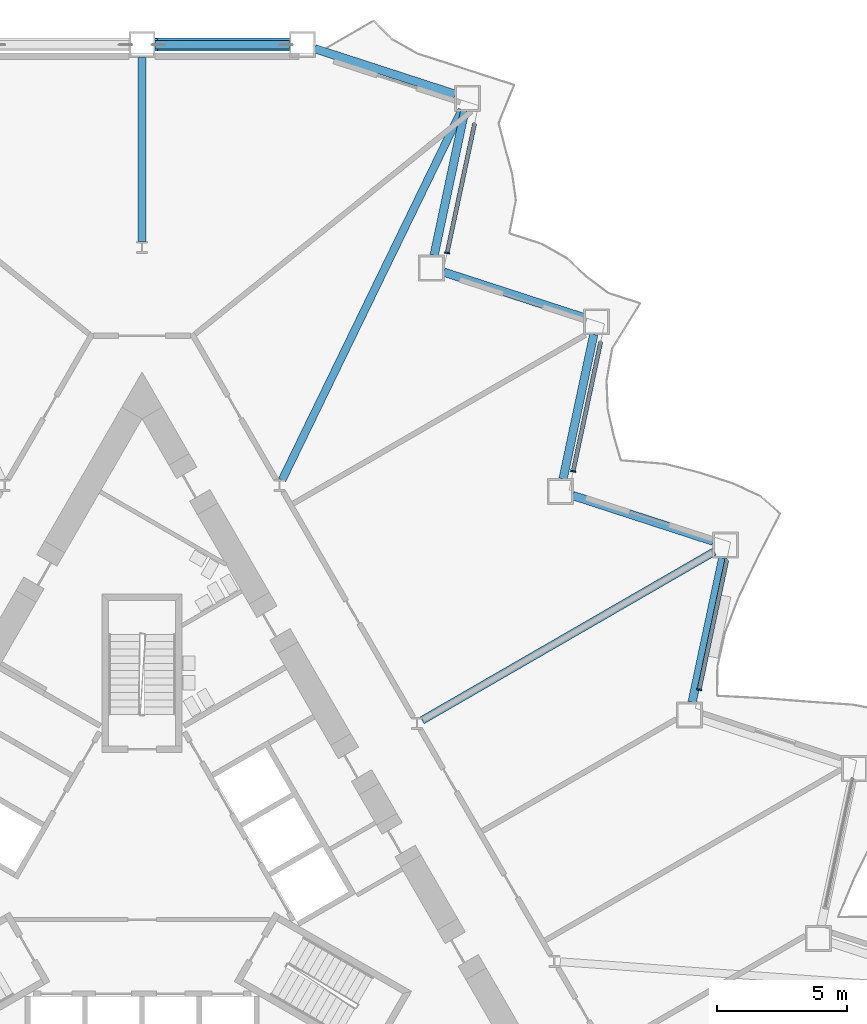
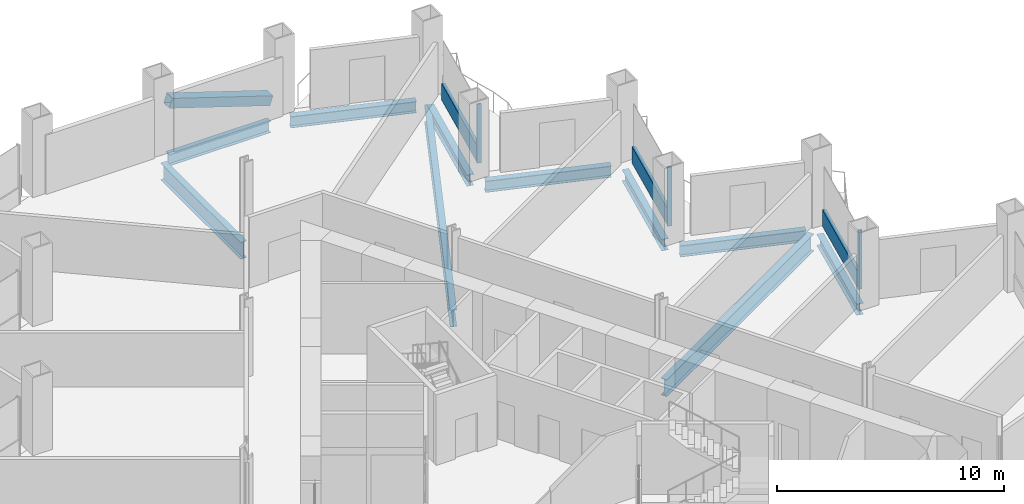
# One storey, part 7 of 21: 10 beams, 7 members, 3 elements without a shape of their own.
"""IFC4 building model written with IfcOpenShell, lengths in metres."""

from ifc_helpers import new_model, si_unit, direction, frame, origin, origin_2d, place, context, subcontext, project, spatial, rectangle, hollow_rectangle, i_section, extrude, material, layer, layer_set, material_profile, profile_set, type_object, element, aggregate, save


model = new_model("IFC4")

# Units and contexts
model_context = context("Model", 3, precision=1e-05, world=origin(), true_north=direction((0.0, 1.0)))
body_context = subcontext(model_context, "Body", "Model", "MODEL_VIEW")
ifc_project = project(units=[si_unit("LENGTHUNIT", "METRE"), si_unit("AREAUNIT", "SQUARE_METRE"), si_unit("VOLUMEUNIT", "CUBIC_METRE"), si_unit("PLANEANGLEUNIT", "RADIAN"), si_unit("MASSUNIT", "GRAM", prefix="KILO")], contexts=[model_context])

# Site, building, storey
site_placement = place(None, origin())
site = spatial("IfcSite", under=ifc_project, at=site_placement, CompositionType="ELEMENT")
building_placement = place(site_placement, origin())
building = spatial("IfcBuilding", under=site, at=building_placement, Name="Cormorant Prow Tower", CompositionType="ELEMENT")
storey_placement = place(building_placement, frame((0.0, 0.0, 42.60009765625)))
storey = spatial("IfcBuildingStorey", under=building, at=storey_placement, Name="L08", CompositionType="ELEMENT", Elevation=42.60009765625)

# Member
ifc_material_1 = material(Name="Structural steel ASTM A500 Gr C", Category="steel")
ifc_material_profile_1 = material_profile(ifc_material_1, hollow_rectangle(XDim=0.508056640625, YDim=0.508056640625, WallThickness=0.014892578125, at=origin_2d()), Name="HSS20x20x5/8")
ifc_profile_set_1 = profile_set([ifc_material_profile_1], Name="Structural steel ASTM A500 Gr C")
member_type_1 = type_object("IfcMemberType", Name="Chamfer brace HSS20x20x5/8", PredefinedType="BRACE", material=ifc_profile_set_1)
member_1_placement = place(storey_placement, frame((5.65087890625, 32.233642578125, 0.76708984375), z_axis=(-0.951761092368, 0.0, 0.306840061033), x_axis=(0.0, -1.0, 0.0)))
element("IfcMember", 1, at=member_1_placement, inside=storey, type_object=member_type_1, Name="Chamfer brace BR1 at N00 L08", PredefinedType="BRACE", context=body_context, shape_type="SweptSolid", body=[
    extrude(hollow_rectangle(XDim=0.508056640625, YDim=0.508056640625, WallThickness=0.014892578125, at=origin_2d()), origin(), (0.0, 0.0, 1.0), 5.39208984375),
])

# Curtain wall, member
ifc_material_2 = material(Name="Aluminium 6063-T6", Category="aluminium")
ifc_layer = layer(ifc_material_2, 0.199951171875)
ifc_layer_set = layer_set([ifc_layer], Name="Aluminium 6063-T6")
curtain_wall_type = type_object("IfcCurtainWallType", Name="Office unitised curtain wall 200", PredefinedType="NOTDEFINED", material=ifc_layer_set)
curtain_wall_1_placement = place(storey_placement, origin())
curtain_wall_1 = element("IfcCurtainWall", 2, at=curtain_wall_1_placement, inside=storey, type_object=curtain_wall_type, Name="Office curtain wall ENE04", PredefinedType="NOTDEFINED")
ifc_material_3 = material(Name="Aluminium 6063-T6", Category="aluminium")
ifc_material_profile_2 = material_profile(ifc_material_3, rectangle(XDim=0.199951171875, YDim=0.06005859375, at=origin_2d()), Name="Office mullion 60x200")
ifc_profile_set_2 = profile_set([ifc_material_profile_2], Name="Aluminium 6063-T6")
member_type_2 = type_object("IfcMemberType", Name="Office mullion 60x200", PredefinedType="MULLION", material=ifc_profile_set_2)
member_2_placement = place(storey_placement, frame((21.447021484375, 7.408203125, 0.0), z_axis=(0.0, 0.0, 1.0), x_axis=(-0.978147599834, 0.207911695052, 0.0)))
member_2 = element("IfcMember", 3, at=member_2_placement, type_object=member_type_2, Name="Office mullion ENE04", PredefinedType="MULLION", context=body_context, shape_type="SweptSolid", body=[
    extrude(rectangle(XDim=0.199951171875, YDim=0.06005859375, at=origin_2d()), origin(), (0.0, 0.0, 1.0), 3.188720703125),
])

curtain_wall_2_placement = place(storey_placement, origin())
curtain_wall_2 = element("IfcCurtainWall", 4, at=curtain_wall_2_placement, inside=storey, type_object=curtain_wall_type, Name="Office curtain wall ENE06", PredefinedType="NOTDEFINED")
member_3_placement = place(storey_placement, frame((16.594482421875, 15.813232421875, 0.0), z_axis=(0.0, 0.0, 1.0), x_axis=(-0.978147630979, 0.207911548524, 0.0)))
member_3 = element("IfcMember", 5, at=member_3_placement, type_object=member_type_2, Name="Office mullion ENE06", PredefinedType="MULLION", context=body_context, shape_type="SweptSolid", body=[
    extrude(rectangle(XDim=0.199951171875, YDim=0.06005859375, at=origin_2d()), origin(), (0.0, 0.0, 1.0), 3.188720703125),
])

curtain_wall_3_placement = place(storey_placement, origin())
curtain_wall_3 = element("IfcCurtainWall", 6, at=curtain_wall_3_placement, inside=storey, type_object=curtain_wall_type, Name="Office curtain wall ENE08", PredefinedType="NOTDEFINED")
member_4_placement = place(storey_placement, frame((11.74169921875, 24.21826171875, 0.0), z_axis=(0.0, 0.0, 1.0), x_axis=(-0.978147599834, 0.207911695052, 0.0)))
member_4 = element("IfcMember", 7, at=member_4_placement, type_object=member_type_2, Name="Office mullion ENE08", PredefinedType="MULLION", context=body_context, shape_type="SweptSolid", body=[
    extrude(rectangle(XDim=0.199951171875, YDim=0.06005859375, at=origin_2d()), origin(), (0.0, 0.0, 1.0), 3.188720703125),
])

# Member
ifc_material_4 = material(Name="Terracotta", Category="masonry")
ifc_material_profile_3 = material_profile(ifc_material_4, rectangle(XDim=0.159912109375, YDim=0.89990234375, at=origin_2d()), Name="Office terracotta spandrel rail 160x900")
ifc_profile_set_3 = profile_set([ifc_material_profile_3], Name="Terracotta")
member_type_3 = type_object("IfcMemberType", Name="Office terracotta spandrel rail 160x900", PredefinedType="USERDEFINED", material=ifc_profile_set_3)
member_5_placement = place(storey_placement, frame((21.453369140625, 7.4375, 0.449951171875), z_axis=(0.207895659842, 0.978151008086, 0.0), x_axis=(-0.978151008086, 0.207895659842, 0.0)))
member_5 = element("IfcMember", 8, at=member_5_placement, type_object=member_type_3, Name="Office spandrel rail ENE04", ObjectType="TRANSOM", PredefinedType="USERDEFINED", context=body_context, shape_type="SweptSolid", body=[
    extrude(rectangle(XDim=0.159912109375, YDim=0.89990234375, at=origin_2d()), origin(), (0.0, 0.0, 1.0), 5.063720703125),
])

aggregate(curtain_wall_1, [member_2, member_5])

member_6_placement = place(storey_placement, frame((16.6005859375, 15.842529296875, 0.449951171875), z_axis=(0.20794178862, 0.978141202764, 0.0), x_axis=(-0.978141202764, 0.20794178862, 0.0)))
member_6 = element("IfcMember", 9, at=member_6_placement, type_object=member_type_3, Name="Office spandrel rail ENE06", ObjectType="TRANSOM", PredefinedType="USERDEFINED", context=body_context, shape_type="SweptSolid", body=[
    extrude(rectangle(XDim=0.159912109375, YDim=0.89990234375, at=origin_2d()), origin(), (0.0, 0.0, 1.0), 5.063720703125),
])

aggregate(curtain_wall_2, [member_3, member_6])

member_7_placement = place(storey_placement, frame((11.748046875, 24.24755859375, 0.449951171875), z_axis=(0.207895659842, 0.978151008086, 0.0), x_axis=(-0.978151008086, 0.207895659842, 0.0)))
member_7 = element("IfcMember", 10, at=member_7_placement, type_object=member_type_3, Name="Office spandrel rail ENE08", ObjectType="TRANSOM", PredefinedType="USERDEFINED", context=body_context, shape_type="SweptSolid", body=[
    extrude(rectangle(XDim=0.159912109375, YDim=0.89990234375, at=origin_2d()), origin(), (0.0, 0.0, 1.0), 5.063720703125),
])

aggregate(curtain_wall_3, [member_4, member_7])

# Beams
ifc_material_5 = material(Name="Structural steel ASTM A992 Gr 50", Category="steel")
ifc_material_profile_4 = material_profile(ifc_material_5, i_section(OverallWidth=0.3046875, OverallDepth=0.914794921875, WebThickness=0.0166015625, FlangeThickness=0.02587890625, at=origin_2d()), Name="W36x160")
ifc_profile_set_4 = profile_set([ifc_material_profile_4], Name="Structural steel ASTM A992 Gr 50")
beam_type_1 = type_object("IfcBeamType", Name="Radial floor beam W36x160", PredefinedType="BEAM", material=ifc_profile_set_4)
beam_1_placement = place(storey_placement, frame((0.0, 24.662109375, -0.857421875), z_axis=(0.0, 1.0, 0.0), x_axis=(-1.0, 0.0, 0.0)))
element("IfcBeam", 11, at=beam_1_placement, inside=storey, type_object=beam_type_1, Name="Radial floor beam FB1 1 L08", PredefinedType="BEAM", context=body_context, shape_type="SweptSolid", body=[
    extrude(i_section(OverallWidth=0.3046875, OverallDepth=0.914794921875, WebThickness=0.0166015625, FlangeThickness=0.02587890625, at=origin_2d()), origin(), (0.0, 0.0, 1.0), 7.071533203125),
])
beam_2_placement = place(storey_placement, frame((10.779541015625, 6.2236328125, -0.857421875), z_axis=(0.866030278318, 0.499991556966, 0.0), x_axis=(-0.499991556966, 0.866030278318, 0.0)))
element("IfcBeam", 12, at=beam_2_placement, inside=storey, type_object=beam_type_1, Name="Radial floor beam FB1 11 L08", PredefinedType="BEAM", context=body_context, shape_type="SweptSolid", body=[
    extrude(i_section(OverallWidth=0.3046875, OverallDepth=0.914794921875, WebThickness=0.0166015625, FlangeThickness=0.02587890625, at=origin_2d()), origin(), (0.0, 0.0, 1.0), 12.984130859375),
])
beam_3_placement = place(storey_placement, frame((5.390625, 15.4775390625, -0.857421875), z_axis=(0.436839436813, 0.899539496879, 0.0), x_axis=(-0.899539496879, 0.436839436813, 0.0)))
element("IfcBeam", 13, at=beam_3_placement, inside=storey, type_object=beam_type_1, Name="Radial floor beam FB1 12 L08", PredefinedType="BEAM", context=body_context, shape_type="SweptSolid", body=[
    extrude(i_section(OverallWidth=0.3046875, OverallDepth=0.914794921875, WebThickness=0.0166015625, FlangeThickness=0.02587890625, at=origin_2d()), origin(), (0.0, 0.0, 1.0), 15.83203125),
])
ifc_material_6 = material(Name="Structural steel ASTM A992 Gr 50", Category="steel")
ifc_material_profile_5 = material_profile(ifc_material_6, i_section(OverallWidth=0.32373046875, OverallDepth=0.611083984375, WebThickness=0.0126953125, FlangeThickness=0.01904296875, at=origin_2d()), Name="W24x104")
ifc_profile_set_5 = profile_set([ifc_material_profile_5], Name="Structural steel ASTM A992 Gr 50")
beam_type_2 = type_object("IfcBeamType", Name="Spandrel beam W24x104", PredefinedType="SPANDREL", material=ifc_profile_set_5)
beam_4_placement = place(storey_placement, frame((21.171875, 6.918212890625, -0.70556640625), z_axis=(0.207900376723, 0.97815000555, 0.0), x_axis=(-0.97815000555, 0.207900376723, 0.0)))
element("IfcBeam", 14, at=beam_4_placement, inside=storey, type_object=beam_type_2, Name="Spandrel beam SB1 ENE04-ENE05 L08", PredefinedType="SPANDREL", context=body_context, shape_type="SweptSolid", body=[
    extrude(i_section(OverallWidth=0.32373046875, OverallDepth=0.611083984375, WebThickness=0.0126953125, FlangeThickness=0.01904296875, at=origin_2d()), origin(), (0.0, 0.0, 1.0), 5.6826171875),
])
beam_5_placement = place(storey_placement, frame((21.981689453125, 13.1201171875, -0.70556640625), z_axis=(-0.951049222751, 0.309039440696, 0.0), x_axis=(-0.309039440696, -0.951049222751, 0.0)))
element("IfcBeam", 15, at=beam_5_placement, inside=storey, type_object=beam_type_2, Name="Spandrel beam SB1 ENE05-ENE06 L08", PredefinedType="SPANDREL", context=body_context, shape_type="SweptSolid", body=[
    extrude(i_section(OverallWidth=0.32373046875, OverallDepth=0.611083984375, WebThickness=0.0126953125, FlangeThickness=0.01904296875, at=origin_2d()), origin(), (0.0, 0.0, 1.0), 5.682373046875),
])
beam_6_placement = place(storey_placement, frame((16.205810546875, 15.519775390625, -0.70556640625), z_axis=(0.207900376723, 0.97815000555, 0.0), x_axis=(-0.97815000555, 0.207900376723, 0.0)))
element("IfcBeam", 16, at=beam_6_placement, inside=storey, type_object=beam_type_2, Name="Spandrel beam SB1 ENE06-ENE07 L08", PredefinedType="SPANDREL", context=body_context, shape_type="SweptSolid", body=[
    extrude(i_section(OverallWidth=0.32373046875, OverallDepth=0.611083984375, WebThickness=0.0126953125, FlangeThickness=0.01904296875, at=origin_2d()), origin(), (0.0, 0.0, 1.0), 5.6826171875),
])
beam_7_placement = place(storey_placement, frame((17.015625, 21.7216796875, -0.70556640625), z_axis=(-0.951049222751, 0.309039440696, 0.0), x_axis=(-0.309039440696, -0.951049222751, 0.0)))
element("IfcBeam", 17, at=beam_7_placement, inside=storey, type_object=beam_type_2, Name="Spandrel beam SB1 ENE07-ENE08 L08", PredefinedType="SPANDREL", context=body_context, shape_type="SweptSolid", body=[
    extrude(i_section(OverallWidth=0.32373046875, OverallDepth=0.611083984375, WebThickness=0.0126953125, FlangeThickness=0.01904296875, at=origin_2d()), origin(), (0.0, 0.0, 1.0), 5.682373046875),
])
beam_8_placement = place(storey_placement, frame((11.23974609375, 24.121337890625, -0.70556640625), z_axis=(0.207900376723, 0.97815000555, 0.0), x_axis=(-0.97815000555, 0.207900376723, 0.0)))
element("IfcBeam", 18, at=beam_8_placement, inside=storey, type_object=beam_type_2, Name="Spandrel beam SB1 ENE08-ENE09 L08", PredefinedType="SPANDREL", context=body_context, shape_type="SweptSolid", body=[
    extrude(i_section(OverallWidth=0.32373046875, OverallDepth=0.611083984375, WebThickness=0.0126953125, FlangeThickness=0.01904296875, at=origin_2d()), origin(), (0.0, 0.0, 1.0), 5.6826171875),
])
beam_9_placement = place(storey_placement, frame((12.049560546875, 30.3232421875, -0.70556640625), z_axis=(-0.951061849722, 0.309000579292, 0.0), x_axis=(-0.309000579292, -0.951061849722, 0.0)))
element("IfcBeam", 19, at=beam_9_placement, inside=storey, type_object=beam_type_2, Name="Spandrel beam SB1 ENE09-N00 L08", PredefinedType="SPANDREL", context=body_context, shape_type="SweptSolid", body=[
    extrude(i_section(OverallWidth=0.32373046875, OverallDepth=0.611083984375, WebThickness=0.0126953125, FlangeThickness=0.01904296875, at=origin_2d()), origin(), (0.0, 0.0, 1.0), 5.682373046875),
])
beam_10_placement = place(storey_placement, frame((5.669677734375, 32.233642578125, -0.70556640625), z_axis=(-1.0, 0.0, 0.0), x_axis=(0.0, -1.0, 0.0)))
element("IfcBeam", 20, at=beam_10_placement, inside=storey, type_object=beam_type_2, Name="Spandrel beam SB1 N00-N01 L08", PredefinedType="SPANDREL", context=body_context, shape_type="SweptSolid", body=[
    extrude(i_section(OverallWidth=0.32373046875, OverallDepth=0.611083984375, WebThickness=0.0126953125, FlangeThickness=0.01904296875, at=origin_2d()), origin(), (0.0, 0.0, 1.0), 5.169677734375),
])

save(model, "model.ifc")
